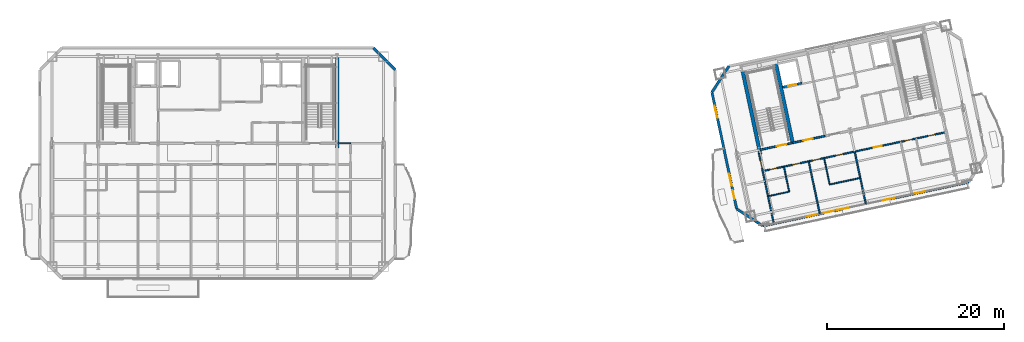
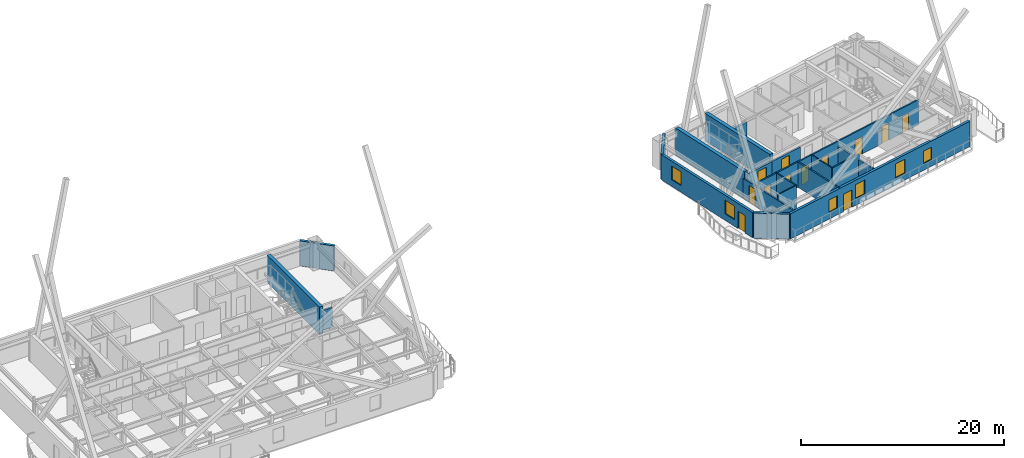
# One storey, part 12 of 19: 20 walls, 13 doors, 6 windows, 19 openings.
"""IFC4 building model written with IfcOpenShell, lengths in metres."""

from ifc_helpers import new_model, si_unit, direction, frame, frame_2d, origin, place, context, subcontext, project, spatial, rectangle, extrude, material, layer, layer_set, type_object, element, fill, save


model = new_model("IFC4")

# Units and contexts
model_context = context("Model", 3, precision=1e-05, world=origin(), true_north=direction((0.0, 1.0)))
body_context = subcontext(model_context, "Body", "Model", "MODEL_VIEW")
ifc_project = project(units=[si_unit("LENGTHUNIT", "METRE"), si_unit("AREAUNIT", "SQUARE_METRE"), si_unit("VOLUMEUNIT", "CUBIC_METRE"), si_unit("PLANEANGLEUNIT", "RADIAN"), si_unit("MASSUNIT", "GRAM", prefix="KILO")], contexts=[model_context])

# Site, building, storey
site_placement = place(None, origin())
site = spatial("IfcSite", under=ifc_project, at=site_placement, CompositionType="ELEMENT")
building_placement = place(site_placement, origin())
building = spatial("IfcBuilding", under=site, at=building_placement, Name="Haevon Station Towers", CompositionType="ELEMENT")
storey_placement = place(building_placement, frame((0.0, 0.0, 218.699951171875)))
storey = spatial("IfcBuildingStorey", under=building, at=storey_placement, Name="L60", CompositionType="ELEMENT", Elevation=218.699951171875)

# Wall, opening, door
ifc_material_1 = material(Name="Gypsum board on steel stud", Category="steel")
ifc_layer_1 = layer(ifc_material_1, 0.199951171875)
ifc_layer_set_1 = layer_set([ifc_layer_1], Name="Gypsum board on steel stud")
wall_type_1 = type_object("IfcWallType", Name="WL-COR200", PredefinedType="PARTITIONING", material=ifc_layer_set_1)
wall_1_placement = place(storey_placement, frame((98.75244140625, 37.4423828125, 0.0), z_axis=(0.0, 0.0, 1.0), x_axis=(0.978143537786, 0.207930804564, 0.0)))
wall_1 = element("IfcWall", 1, at=wall_1_placement, inside=storey, type_object=wall_type_1, Name="WL-ST-ST3-L60", PredefinedType="PARTITIONING", context=body_context, shape_type="SweptSolid", body=[
    extrude(rectangle(XDim=3.85009765625, YDim=0.199951171875, at=frame_2d((1.925048828125, 0.0))), origin(), (0.0, 0.0, 1.0), 2.429931640625),
])
opening_1_placement = place(wall_1_placement, frame((2.0, 0.0, 0.0)))
opening_1 = element("IfcOpeningElement", 2, at=opening_1_placement, cuts=wall_1, Name="Opening DR-ST-ST3-L60", PredefinedType="OPENING", context=body_context, shape_type="SweptSolid", body=[
    extrude(rectangle(XDim=1.1201171875, YDim=2.10009765625, at=frame_2d((0.56005859375, 1.050048828125))), frame((0.0, 0.10986328125, 0.0), z_axis=(0.0, -1.0, 0.0), x_axis=(1.0, 0.0, 0.0)), (0.0, 0.0, 1.0), 0.219970703125),
])
ifc_material_2 = material(Name="Engineered oak timber", Category="wood")
door_type_1 = type_object("IfcDoorType", Name="DR-ST-1120", OperationType="NOTDEFINED", PredefinedType="DOOR", material=ifc_material_2)
door_1_placement = place(opening_1_placement, origin())
door_1 = element("IfcDoor", 3, at=door_1_placement, inside=storey, type_object=door_type_1, Name="L60 Escape Stair ST3 Fire Door", OperationType="SINGLE_SWING_LEFT", OverallHeight=2.10009765625, OverallWidth=1.1201171875, PredefinedType="DOOR", context=body_context, shape_type="SweptSolid", body=[
    extrude(rectangle(XDim=1.1201171875, YDim=2.10009765625, at=frame_2d((0.56005859375, 1.050048828125))), frame((0.0, 0.02490234375, 0.0), z_axis=(0.0, -1.0, 0.0), x_axis=(1.0, 0.0, 0.0)), (0.0, 0.0, 1.0), 0.050048828125),
])
fill(opening_1, door_1)

wall_2_placement = place(storey_placement, frame((102.518310546875, 38.242919921875, 0.0), z_axis=(0.0, 0.0, 1.0), x_axis=(0.978153555683, 0.20788367301, 0.0)))
wall_2 = element("IfcWall", 4, at=wall_2_placement, inside=storey, type_object=wall_type_1, Name="WL-T2FFL-L60-S", PredefinedType="PARTITIONING", context=body_context, shape_type="SweptSolid", body=[
    extrude(rectangle(XDim=3.75, YDim=0.199951171875, at=frame_2d((1.875, 0.0))), origin(), (0.0, 0.0, 1.0), 2.429931640625),
])
opening_2_placement = place(wall_2_placement, frame((1.25, 0.0, 0.0)))
opening_2 = element("IfcOpeningElement", 5, at=opening_2_placement, cuts=wall_2, Name="Opening DR-T2FFL-L60-S", PredefinedType="OPENING", context=body_context, shape_type="SweptSolid", body=[
    extrude(rectangle(XDim=1.050048828125, YDim=2.10009765625, at=frame_2d((0.52490234375, 1.050048828125))), frame((0.0, 0.10986328125, 0.0), z_axis=(0.0, -1.0, 0.0), x_axis=(1.0, 0.0, 0.0)), (0.0, 0.0, 1.0), 0.219970703125),
])
door_type_2 = type_object("IfcDoorType", Name="DR-FD60-1050", OperationType="NOTDEFINED", PredefinedType="DOOR", material=ifc_material_2)
door_2_placement = place(opening_2_placement, origin())
door_2 = element("IfcDoor", 6, at=door_2_placement, inside=storey, type_object=door_type_2, Name="L60 Tower 2 Firefighting Lift Lobby Door S", OperationType="SINGLE_SWING_RIGHT", OverallHeight=2.10009765625, OverallWidth=1.050048828125, PredefinedType="DOOR", context=body_context, shape_type="SweptSolid", body=[
    extrude(rectangle(XDim=1.050048828125, YDim=2.10009765625, at=frame_2d((0.52490234375, 1.050048828125))), frame((0.0, 0.02490234375, 0.0), z_axis=(0.0, -1.0, 0.0), x_axis=(1.0, 0.0, 0.0)), (0.0, 0.0, 1.0), 0.050048828125),
])
fill(opening_2, door_2)

# Walls
ifc_material_3 = material(Name="Concrete C60/75", Category="concrete")
ifc_layer_2 = layer(ifc_material_3, 0.39990234375)
ifc_layer_set_2 = layer_set([ifc_layer_2], Name="Concrete C60/75")
wall_type_2 = type_object("IfcWallType", Name="WL-CR400", PredefinedType="SHEAR", material=ifc_layer_set_2)
wall_3_placement = place(storey_placement, frame((51.0, 37.679931640625, 0.0), z_axis=(0.0, 0.0, 1.0), x_axis=(0.0, 1.0, 0.0)))
element("IfcWall", 7, at=wall_3_placement, inside=storey, type_object=wall_type_2, Name="WL-T1CR-L60-E", PredefinedType="SHEAR", context=body_context, shape_type="SweptSolid", body=[
    extrude(rectangle(XDim=10.320068359375, YDim=0.39990234375, at=frame_2d((5.16015625, 0.0))), origin(), (0.0, 0.0, 1.0), 3.300048828125),
])
wall_4_placement = place(storey_placement, frame((98.8603515625, 36.933837890625, 0.0), z_axis=(0.0, 0.0, 1.0), x_axis=(-0.20790924889, 0.978148119778, 0.0)))
element("IfcWall", 8, at=wall_4_placement, inside=storey, type_object=wall_type_2, Name="WL-T2CR-L60-W", PredefinedType="SHEAR", context=body_context, shape_type="SweptSolid", body=[
    extrude(rectangle(XDim=10.119873046875, YDim=0.39990234375, at=frame_2d((5.06005859375, 0.0))), origin(), (0.0, 0.0, 1.0), 3.300048828125),
])
wall_5_placement = place(storey_placement, frame((102.518310546875, 38.242919921875, 0.0), z_axis=(0.0, 0.0, 1.0), x_axis=(-0.207927495108, 0.978144241295, 0.0)))
element("IfcWall", 9, at=wall_5_placement, inside=storey, type_object=wall_type_2, Name="WL-T2CR-L60-M1", PredefinedType="SHEAR", context=body_context, shape_type="SweptSolid", body=[
    extrude(rectangle(XDim=9.599853515625, YDim=0.39990234375, at=frame_2d((4.7998046875, 0.0))), origin(), (0.0, 0.0, 1.0), 3.300048828125),
])
ifc_material_4 = material(Name="Precast concrete C45/55", Category="concrete")
ifc_layer_3 = layer(ifc_material_4, 0.280029296875)
ifc_layer_set_3 = layer_set([ifc_layer_3], Name="Precast concrete C45/55")
wall_type_3 = type_object("IfcWallType", Name="WL-EXT-PIER280", PredefinedType="SOLIDWALL", material=ifc_layer_set_3)
wall_6_placement = place(storey_placement, frame((55.10009765625, 49.0, 0.0), z_axis=(0.0, 0.0, 1.0), x_axis=(0.707106781187, -0.707106781187, 0.0)))
element("IfcWall", 10, at=wall_6_placement, inside=storey, type_object=wall_type_3, Name="WL-T1-L60-NEC", PredefinedType="SOLIDWALL", context=body_context, shape_type="SweptSolid", body=[
    extrude(rectangle(XDim=3.53564453125, YDim=0.280029296875, at=frame_2d((1.767822265625, 0.0))), origin(), (0.0, 0.0, 1.0), 3.030029296875),
])

# Wall, openings, door, windows
wall_7_placement = place(storey_placement, frame((122.427978515625, 33.795166015625, 0.0), z_axis=(0.0, 0.0, 1.0), x_axis=(-0.978147847697, -0.207910528946, 0.0)))
wall_7 = element("IfcWall", 11, at=wall_7_placement, inside=storey, type_object=wall_type_3, Name="WL-T2-L60-S", PredefinedType="SOLIDWALL", context=body_context, shape_type="SweptSolid", body=[
    extrude(rectangle(XDim=23.7998046875, YDim=0.280029296875, at=frame_2d((11.89990234375, 0.0))), origin(), (0.0, 0.0, 1.0), 3.030029296875),
])
opening_3_placement = place(wall_7_placement, frame((15.632080078125, 0.0, 0.0)))
opening_3 = element("IfcOpeningElement", 12, at=opening_3_placement, cuts=wall_7, Name="Opening DR-T2-SKYG-L60", PredefinedType="OPENING", context=body_context, shape_type="SweptSolid", body=[
    extrude(rectangle(XDim=1.14990234375, YDim=2.10009765625, at=frame_2d((0.574951171875, 1.050048828125))), frame((0.0, 0.14990234375, 0.0), z_axis=(0.0, -1.0, 0.0), x_axis=(1.0, 0.0, 0.0)), (0.0, 0.0, 1.0), 0.300048828125),
])
opening_4_placement = place(wall_7_placement, frame((17.597412109375, 0.0, 0.800048828125)))
opening_4 = element("IfcOpeningElement", 13, at=opening_4_placement, cuts=wall_7, Name="Opening WN-COR110", PredefinedType="OPENING", context=body_context, shape_type="SweptSolid", body=[
    extrude(rectangle(XDim=1.10009765625, YDim=1.5, at=frame_2d((0.550048828125, 0.75))), frame((0.0, 0.14990234375, 0.0), z_axis=(0.0, -1.0, 0.0), x_axis=(1.0, 0.0, 0.0)), (0.0, 0.0, 1.0), 0.300048828125),
])
opening_5_placement = place(wall_7_placement, frame((13.93359375, 0.0, 0.800048828125)))
opening_5 = element("IfcOpeningElement", 14, at=opening_5_placement, cuts=wall_7, Name="Opening WN-P125", PredefinedType="OPENING", context=body_context, shape_type="SweptSolid", body=[
    extrude(rectangle(XDim=1.25, YDim=1.699951171875, at=frame_2d((0.625, 0.85009765625))), frame((0.0, 0.14990234375, 0.0), z_axis=(0.0, -1.0, 0.0), x_axis=(1.0, 0.0, 0.0)), (0.0, 0.0, 1.0), 0.300048828125),
])
opening_6_placement = place(wall_7_placement, frame((8.6162109375, 0.0, 0.800048828125)))
opening_6 = element("IfcOpeningElement", 15, at=opening_6_placement, cuts=wall_7, Name="Opening WN-P125", PredefinedType="OPENING", context=body_context, shape_type="SweptSolid", body=[
    extrude(rectangle(XDim=1.25, YDim=1.699951171875, at=frame_2d((0.625, 0.85009765625))), frame((0.0, 0.14990234375, 0.0), z_axis=(0.0, -1.0, 0.0), x_axis=(1.0, 0.0, 0.0)), (0.0, 0.0, 1.0), 0.300048828125),
])
opening_7_placement = place(wall_7_placement, frame((5.1025390625, 0.0, 0.800048828125)))
opening_7 = element("IfcOpeningElement", 16, at=opening_7_placement, cuts=wall_7, Name="Opening WN-COR110", PredefinedType="OPENING", context=body_context, shape_type="SweptSolid", body=[
    extrude(rectangle(XDim=1.10009765625, YDim=1.5, at=frame_2d((0.550048828125, 0.75))), frame((0.0, 0.14990234375, 0.0), z_axis=(0.0, -1.0, 0.0), x_axis=(1.0, 0.0, 0.0)), (0.0, 0.0, 1.0), 0.300048828125),
])
ifc_material_5 = material(Name="Thermally broken anodised aluminium and laminated safety glass", Category="aluminium")
door_type_3 = type_object("IfcDoorType", Name="DR-BALC-1150", OperationType="NOTDEFINED", PredefinedType="DOOR", material=ifc_material_5)
door_3_placement = place(opening_3_placement, origin())
door_3 = element("IfcDoor", 17, at=door_3_placement, inside=storey, type_object=door_type_3, Name="Tower 2 L60 Sky Garden Terrace Door", OperationType="SINGLE_SWING_LEFT", OverallHeight=2.10009765625, OverallWidth=1.14990234375, PredefinedType="DOOR", context=body_context, shape_type="SweptSolid", body=[
    extrude(rectangle(XDim=1.14990234375, YDim=2.10009765625, at=frame_2d((0.574951171875, 1.050048828125))), frame((0.0, 0.02490234375, 0.0), z_axis=(0.0, -1.0, 0.0), x_axis=(1.0, 0.0, 0.0)), (0.0, 0.0, 1.0), 0.050048828125),
])
fill(opening_3, door_3)
ifc_material_6 = material(Name="Low-E triple glazing in thermally broken aluminium", Category="aluminium")
window_type_1 = type_object("IfcWindowType", Name="WN-COR110", PartitioningType="SINGLE_PANEL", PredefinedType="WINDOW", material=ifc_material_6)
window_1_placement = place(opening_4_placement, origin())
window_1 = element("IfcWindow", 18, at=window_1_placement, inside=storey, type_object=window_type_1, Name="WN-T2-L60-S01", OverallHeight=1.5, OverallWidth=1.10009765625, PartitioningType="SINGLE_PANEL", PredefinedType="WINDOW", context=body_context, shape_type="SweptSolid", body=[
    extrude(rectangle(XDim=1.10009765625, YDim=1.5, at=frame_2d((0.550048828125, 0.75))), frame((0.0, 0.030029296875, 0.0), z_axis=(0.0, -1.0, 0.0), x_axis=(1.0, 0.0, 0.0)), (0.0, 0.0, 1.0), 0.06005859375),
])
fill(opening_4, window_1)
window_2_placement = place(opening_7_placement, origin())
window_2 = element("IfcWindow", 19, at=window_2_placement, inside=storey, type_object=window_type_1, Name="WN-T2-L60-S04", OverallHeight=1.5, OverallWidth=1.10009765625, PartitioningType="SINGLE_PANEL", PredefinedType="WINDOW", context=body_context, shape_type="SweptSolid", body=[
    extrude(rectangle(XDim=1.10009765625, YDim=1.5, at=frame_2d((0.550048828125, 0.75))), frame((0.0, 0.030029296875, 0.0), z_axis=(0.0, -1.0, 0.0), x_axis=(1.0, 0.0, 0.0)), (0.0, 0.0, 1.0), 0.06005859375),
])
fill(opening_7, window_2)
window_type_2 = type_object("IfcWindowType", Name="WN-P125", PartitioningType="SINGLE_PANEL", PredefinedType="WINDOW", material=ifc_material_6)
window_3_placement = place(opening_5_placement, origin())
window_3 = element("IfcWindow", 20, at=window_3_placement, inside=storey, type_object=window_type_2, Name="WN-T2-L60-S02", OverallHeight=1.699951171875, OverallWidth=1.25, PartitioningType="SINGLE_PANEL", PredefinedType="WINDOW", context=body_context, shape_type="SweptSolid", body=[
    extrude(rectangle(XDim=1.25, YDim=1.699951171875, at=frame_2d((0.625, 0.85009765625))), frame((0.0, 0.030029296875, 0.0), z_axis=(0.0, -1.0, 0.0), x_axis=(1.0, 0.0, 0.0)), (0.0, 0.0, 1.0), 0.06005859375),
])
fill(opening_5, window_3)
window_4_placement = place(opening_6_placement, origin())
window_4 = element("IfcWindow", 21, at=window_4_placement, inside=storey, type_object=window_type_2, Name="WN-T2-L60-S03", OverallHeight=1.699951171875, OverallWidth=1.25, PartitioningType="SINGLE_PANEL", PredefinedType="WINDOW", context=body_context, shape_type="SweptSolid", body=[
    extrude(rectangle(XDim=1.25, YDim=1.699951171875, at=frame_2d((0.625, 0.85009765625))), frame((0.0, 0.030029296875, 0.0), z_axis=(0.0, -1.0, 0.0), x_axis=(1.0, 0.0, 0.0)), (0.0, 0.0, 1.0), 0.06005859375),
])
fill(opening_6, window_4)

# Wall
wall_8_placement = place(storey_placement, frame((99.148193359375, 28.846923828125, 0.0), z_axis=(0.0, 0.0, 1.0), x_axis=(-0.838692791597, 0.544604812064, 0.0)))
element("IfcWall", 22, at=wall_8_placement, inside=storey, type_object=wall_type_3, Name="WL-T2-L60-SWC", PredefinedType="SOLIDWALL", context=body_context, shape_type="SweptSolid", body=[
    extrude(rectangle(XDim=3.53564453125, YDim=0.280029296875, at=frame_2d((1.767822265625, 0.0))), origin(), (0.0, 0.0, 1.0), 3.030029296875),
])

# Wall, openings, door, windows
wall_9_placement = place(storey_placement, frame((96.182861328125, 30.7724609375, 0.0), z_axis=(0.0, 0.0, 1.0), x_axis=(-0.207907239961, 0.978148546782, 0.0)))
wall_9 = element("IfcWall", 23, at=wall_9_placement, inside=storey, type_object=wall_type_3, Name="WL-T2-L60-W", PredefinedType="SOLIDWALL", context=body_context, shape_type="SweptSolid", body=[
    extrude(rectangle(XDim=13.489990234375, YDim=0.280029296875, at=frame_2d((6.7451171875, 0.0))), origin(), (0.0, 0.0, 1.0), 3.030029296875),
])
opening_8_placement = place(wall_9_placement, frame((1.1201171875, 0.0, 0.0)))
opening_8 = element("IfcOpeningElement", 24, at=opening_8_placement, cuts=wall_9, Name="Opening DR-T2-SCAL-L60-W", PredefinedType="OPENING", context=body_context, shape_type="SweptSolid", body=[
    extrude(rectangle(XDim=1.050048828125, YDim=2.10009765625, at=frame_2d((0.52490234375, 1.050048828125))), frame((0.0, 0.14990234375, 0.0), z_axis=(0.0, -1.0, 0.0), x_axis=(1.0, 0.0, 0.0)), (0.0, 0.0, 1.0), 0.300048828125),
])
opening_9_placement = place(wall_9_placement, frame((2.673095703125, 0.0, 0.800048828125)))
opening_9 = element("IfcOpeningElement", 25, at=opening_9_placement, cuts=wall_9, Name="Opening WN-END140", PredefinedType="OPENING", context=body_context, shape_type="SweptSolid", body=[
    extrude(rectangle(XDim=1.39990234375, YDim=1.64990234375, at=frame_2d((0.699951171875, 0.824951171875))), frame((0.0, 0.14990234375, 0.0), z_axis=(0.0, -1.0, 0.0), x_axis=(1.0, 0.0, 0.0)), (0.0, 0.0, 1.0), 0.300048828125),
])
opening_10_placement = place(wall_9_placement, frame((10.540771484375, 0.0, 0.800048828125)))
opening_10 = element("IfcOpeningElement", 26, at=opening_10_placement, cuts=wall_9, Name="Opening WN-END140", PredefinedType="OPENING", context=body_context, shape_type="SweptSolid", body=[
    extrude(rectangle(XDim=1.39990234375, YDim=1.64990234375, at=frame_2d((0.699951171875, 0.824951171875))), frame((0.0, 0.14990234375, 0.0), z_axis=(0.0, -1.0, 0.0), x_axis=(1.0, 0.0, 0.0)), (0.0, 0.0, 1.0), 0.300048828125),
])
door_type_4 = type_object("IfcDoorType", Name="DR-BALC-1050", OperationType="NOTDEFINED", PredefinedType="DOOR", material=ifc_material_5)
door_4_placement = place(opening_8_placement, origin())
door_4 = element("IfcDoor", 27, at=door_4_placement, inside=storey, type_object=door_type_4, Name="Tower 2 L60 West Scalloped Balcony Door", OperationType="SINGLE_SWING_RIGHT", OverallHeight=2.10009765625, OverallWidth=1.050048828125, PredefinedType="DOOR", context=body_context, shape_type="SweptSolid", body=[
    extrude(rectangle(XDim=1.050048828125, YDim=2.10009765625, at=frame_2d((0.52490234375, 1.050048828125))), frame((0.0, 0.02490234375, 0.0), z_axis=(0.0, -1.0, 0.0), x_axis=(1.0, 0.0, 0.0)), (0.0, 0.0, 1.0), 0.050048828125),
])
fill(opening_8, door_4)
window_type_3 = type_object("IfcWindowType", Name="WN-END140", PartitioningType="SINGLE_PANEL", PredefinedType="WINDOW", material=ifc_material_6)
window_5_placement = place(opening_9_placement, origin())
window_5 = element("IfcWindow", 28, at=window_5_placement, inside=storey, type_object=window_type_3, Name="WN-T2-L60-W01", OverallHeight=1.64990234375, OverallWidth=1.39990234375, PartitioningType="SINGLE_PANEL", PredefinedType="WINDOW", context=body_context, shape_type="SweptSolid", body=[
    extrude(rectangle(XDim=1.39990234375, YDim=1.64990234375, at=frame_2d((0.699951171875, 0.824951171875))), frame((0.0, 0.030029296875, 0.0), z_axis=(0.0, -1.0, 0.0), x_axis=(1.0, 0.0, 0.0)), (0.0, 0.0, 1.0), 0.06005859375),
])
fill(opening_9, window_5)
window_6_placement = place(opening_10_placement, origin())
window_6 = element("IfcWindow", 29, at=window_6_placement, inside=storey, type_object=window_type_3, Name="WN-T2-L60-W02", OverallHeight=1.64990234375, OverallWidth=1.39990234375, PartitioningType="SINGLE_PANEL", PredefinedType="WINDOW", context=body_context, shape_type="SweptSolid", body=[
    extrude(rectangle(XDim=1.39990234375, YDim=1.64990234375, at=frame_2d((0.699951171875, 0.824951171875))), frame((0.0, 0.030029296875, 0.0), z_axis=(0.0, -1.0, 0.0), x_axis=(1.0, 0.0, 0.0)), (0.0, 0.0, 1.0), 0.06005859375),
])
fill(opening_10, window_6)

# Walls
wall_10_placement = place(storey_placement, frame((93.378173828125, 43.9677734375, 0.0), z_axis=(0.0, 0.0, 1.0), x_axis=(0.544636352948, 0.838672309694, 0.0)))
element("IfcWall", 30, at=wall_10_placement, inside=storey, type_object=wall_type_3, Name="WL-T2-L60-NWC", PredefinedType="SOLIDWALL", context=body_context, shape_type="SweptSolid", body=[
    extrude(rectangle(XDim=3.535400390625, YDim=0.280029296875, at=frame_2d((1.767578125, 0.0))), origin(), (0.0, 0.0, 1.0), 3.030029296875),
])
ifc_layer_4 = layer(ifc_material_1, 0.125)
ifc_layer_set_4 = layer_set([ifc_layer_4], Name="Gypsum board on steel stud")
wall_type_4 = type_object("IfcWallType", Name="WL-PRT125", PredefinedType="PARTITIONING", material=ifc_layer_set_4)
wall_11_placement = place(storey_placement, frame((99.726318359375, 32.210693359375, 0.0), z_axis=(0.0, 0.0, 1.0), x_axis=(0.978156824814, 0.207868290196, 0.0)))
element("IfcWall", 31, at=wall_11_placement, inside=storey, type_object=wall_type_4, Name="WL-T2PT-L60-03", PredefinedType="PARTITIONING", context=body_context, shape_type="SweptSolid", body=[
    extrude(rectangle(XDim=2.449951171875, YDim=0.125, at=frame_2d((1.22509765625, 0.0))), origin(), (0.0, 0.0, 1.0), 3.030029296875),
])
wall_12_placement = place(storey_placement, frame((106.699951171875, 33.53955078125, 0.0), z_axis=(0.0, 0.0, 1.0), x_axis=(-0.207877902534, 0.978154782045, 0.0)))
element("IfcWall", 32, at=wall_12_placement, inside=storey, type_object=wall_type_4, Name="WL-T2PT-L60-07", PredefinedType="PARTITIONING", context=body_context, shape_type="SweptSolid", body=[
    extrude(rectangle(XDim=3.050048828125, YDim=0.125, at=frame_2d((1.52490234375, 0.0))), origin(), (0.0, 0.0, 1.0), 3.030029296875),
])
ifc_layer_5 = layer(ifc_material_1, 0.139892578125)
ifc_layer_set_5 = layer_set([ifc_layer_5], Name="Gypsum board on steel stud")
wall_type_5 = type_object("IfcWallType", Name="WL-PRT140", PredefinedType="PARTITIONING", material=ifc_layer_set_5)
wall_13_placement = place(storey_placement, frame((102.122802734375, 32.719970703125, 0.0), z_axis=(0.0, 0.0, 1.0), x_axis=(-0.207855735235, 0.978159492787, 0.0)))
element("IfcWall", 33, at=wall_13_placement, inside=storey, type_object=wall_type_5, Name="WL-T2PT-L60-04", PredefinedType="PARTITIONING", context=body_context, shape_type="SweptSolid", body=[
    extrude(rectangle(XDim=2.89990234375, YDim=0.139892578125, at=frame_2d((1.449951171875, 0.0))), origin(), (0.0, 0.0, 1.0), 3.030029296875),
])
wall_14_placement = place(storey_placement, frame((106.699951171875, 33.53955078125, 0.0), z_axis=(0.0, 0.0, 1.0), x_axis=(0.978155518159, 0.207874438771, 0.0)))
element("IfcWall", 34, at=wall_14_placement, inside=storey, type_object=wall_type_5, Name="WL-T2PT-L60-06", PredefinedType="PARTITIONING", context=body_context, shape_type="SweptSolid", body=[
    extrude(rectangle(XDim=3.53759765625, YDim=0.139892578125, at=frame_2d((1.768798828125, 0.0))), origin(), (0.0, 0.0, 1.0), 3.030029296875),
])
ifc_layer_6 = layer(ifc_material_1, 0.159912109375)
ifc_layer_set_6 = layer_set([ifc_layer_6], Name="Gypsum board on steel stud")
wall_type_6 = type_object("IfcWallType", Name="WL-PRT160", PredefinedType="PARTITIONING", material=ifc_layer_set_6)
wall_15_placement = place(storey_placement, frame((51.0, 38.199951171875, 0.0), z_axis=(0.0, 0.0, 1.0), x_axis=(1.0, 0.0, 0.0)))
element("IfcWall", 35, at=wall_15_placement, inside=storey, type_object=wall_type_6, Name="WL-T1PT-L60-02", PredefinedType="PARTITIONING", context=body_context, shape_type="SweptSolid", body=[
    extrude(rectangle(XDim=1.52490234375, YDim=0.159912109375, at=frame_2d((0.762451171875, 0.0))), origin(), (0.0, 0.0, 1.0), 2.429931640625),
])

# Wall, opening, door
wall_16_placement = place(storey_placement, frame((100.385498046875, 29.10986328125, 0.0), z_axis=(0.0, 0.0, 1.0), x_axis=(-0.207922572799, 0.978145287634, 0.0)))
wall_16 = element("IfcWall", 36, at=wall_16_placement, inside=storey, type_object=wall_type_6, Name="WL-T2PT-L60-01", PredefinedType="PARTITIONING", context=body_context, shape_type="SweptSolid", body=[
    extrude(rectangle(XDim=8.18994140625, YDim=0.159912109375, at=frame_2d((4.094970703125, 0.0))), origin(), (0.0, 0.0, 1.0), 2.429931640625),
])
opening_11_placement = place(wall_16_placement, frame((6.389892578125, 0.0, 0.0)))
opening_11 = element("IfcOpeningElement", 37, at=opening_11_placement, cuts=wall_16, Name="Opening DR-WL-T2PT-L60-01-01", PredefinedType="OPENING", context=body_context, shape_type="SweptSolid", body=[
    extrude(rectangle(XDim=0.89990234375, YDim=2.050048828125, at=frame_2d((0.449951171875, 1.02490234375))), frame((0.0, 0.08984375, 0.0), z_axis=(0.0, -1.0, 0.0), x_axis=(1.0, 0.0, 0.0)), (0.0, 0.0, 1.0), 0.179931640625),
])
door_type_5 = type_object("IfcDoorType", Name="DR-INT-900", OperationType="NOTDEFINED", PredefinedType="DOOR", material=ifc_material_2)
door_5_placement = place(opening_11_placement, origin())
door_5 = element("IfcDoor", 38, at=door_5_placement, inside=storey, type_object=door_type_5, Name="L60 Tower 2 Room Door 1-1", OperationType="SINGLE_SWING_RIGHT", OverallHeight=2.050048828125, OverallWidth=0.89990234375, PredefinedType="DOOR", context=body_context, shape_type="SweptSolid", body=[
    extrude(rectangle(XDim=0.89990234375, YDim=2.050048828125, at=frame_2d((0.449951171875, 1.02490234375))), frame((0.0, 0.02490234375, 0.0), z_axis=(0.0, -1.0, 0.0), x_axis=(1.0, 0.0, 0.0)), (0.0, 0.0, 1.0), 0.050048828125),
])
fill(opening_11, door_5)

# Walls
wall_17_placement = place(storey_placement, frame((105.586669921875, 30.21533203125, 0.0), z_axis=(0.0, 0.0, 1.0), x_axis=(-0.207897237954, 0.978150672673, 0.0)))
element("IfcWall", 39, at=wall_17_placement, inside=storey, type_object=wall_type_6, Name="WL-T2PT-L60-05", PredefinedType="PARTITIONING", context=body_context, shape_type="SweptSolid", body=[
    extrude(rectangle(XDim=6.070068359375, YDim=0.159912109375, at=frame_2d((3.03515625, 0.0))), origin(), (0.0, 0.0, 1.0), 3.030029296875),
])
wall_18_placement = place(storey_placement, frame((110.7880859375, 31.321044921875, 0.0), z_axis=(0.0, 0.0, 1.0), x_axis=(-0.207905417202, 0.978148934211, 0.0)))
element("IfcWall", 40, at=wall_18_placement, inside=storey, type_object=wall_type_6, Name="WL-T2PT-L60-08", PredefinedType="PARTITIONING", context=body_context, shape_type="SweptSolid", body=[
    extrude(rectangle(XDim=6.06982421875, YDim=0.159912109375, at=frame_2d((3.034912109375, 0.0))), origin(), (0.0, 0.0, 1.0), 2.429931640625),
])

# Wall, openings, doors
wall_19_placement = place(storey_placement, frame((99.12353515625, 35.047119140625, 0.0), z_axis=(0.0, 0.0, 1.0), x_axis=(0.97814677222, 0.207915588631, 0.0)))
wall_19 = element("IfcWall", 41, at=wall_19_placement, inside=storey, type_object=wall_type_6, Name="WL-T2PT-L60-12", PredefinedType="PARTITIONING", context=body_context, shape_type="SweptSolid", body=[
    extrude(rectangle(XDim=21.27001953125, YDim=0.159912109375, at=frame_2d((10.635009765625, 0.0))), origin(), (0.0, 0.0, 1.0), 3.030029296875),
])
opening_12_placement = place(wall_19_placement, frame((0.800048828125, 0.0, 0.0)))
opening_12 = element("IfcOpeningElement", 42, at=opening_12_placement, cuts=wall_19, Name="Opening DR-WL-T2PT-L60-12-01", PredefinedType="OPENING", context=body_context, shape_type="SweptSolid", body=[
    extrude(rectangle(XDim=0.85009765625, YDim=2.050048828125, at=frame_2d((0.425048828125, 1.02490234375))), frame((0.0, 0.08984375, 0.0), z_axis=(0.0, -1.0, 0.0), x_axis=(1.0, 0.0, 0.0)), (0.0, 0.0, 1.0), 0.179931640625),
])
opening_13_placement = place(wall_19_placement, frame((3.43408203125, 0.0, 0.0)))
opening_13 = element("IfcOpeningElement", 43, at=opening_13_placement, cuts=wall_19, Name="Opening DR-WL-T2PT-L60-12-02", PredefinedType="OPENING", context=body_context, shape_type="SweptSolid", body=[
    extrude(rectangle(XDim=0.89990234375, YDim=2.050048828125, at=frame_2d((0.449951171875, 1.02490234375))), frame((0.0, 0.08984375, 0.0), z_axis=(0.0, -1.0, 0.0), x_axis=(1.0, 0.0, 0.0)), (0.0, 0.0, 1.0), 0.179931640625),
])
opening_14_placement = place(wall_19_placement, frame((8.44091796875, 0.0, 0.0)))
opening_14 = element("IfcOpeningElement", 44, at=opening_14_placement, cuts=wall_19, Name="Opening DR-WL-T2PT-L60-12-03", PredefinedType="OPENING", context=body_context, shape_type="SweptSolid", body=[
    extrude(rectangle(XDim=0.85009765625, YDim=2.050048828125, at=frame_2d((0.425048828125, 1.02490234375))), frame((0.0, 0.08984375, 0.0), z_axis=(0.0, -1.0, 0.0), x_axis=(1.0, 0.0, 0.0)), (0.0, 0.0, 1.0), 0.179931640625),
])
opening_15_placement = place(wall_19_placement, frame((5.757080078125, 0.0, 0.0)))
opening_15 = element("IfcOpeningElement", 45, at=opening_15_placement, cuts=wall_19, Name="Opening DR-WL-T2PT-L60-12-04", PredefinedType="OPENING", context=body_context, shape_type="SweptSolid", body=[
    extrude(rectangle(XDim=0.89990234375, YDim=2.050048828125, at=frame_2d((0.449951171875, 1.02490234375))), frame((0.0, 0.08984375, 0.0), z_axis=(0.0, -1.0, 0.0), x_axis=(1.0, 0.0, 0.0)), (0.0, 0.0, 1.0), 0.179931640625),
])
opening_16_placement = place(wall_19_placement, frame((12.819091796875, 0.0, 0.0)))
opening_16 = element("IfcOpeningElement", 46, at=opening_16_placement, cuts=wall_19, Name="Opening DR-WL-T2PT-L60-12-05", PredefinedType="OPENING", context=body_context, shape_type="SweptSolid", body=[
    extrude(rectangle(XDim=0.949951171875, YDim=2.10009765625, at=frame_2d((0.47509765625, 1.050048828125))), frame((0.0, 0.08984375, 0.0), z_axis=(0.0, -1.0, 0.0), x_axis=(1.0, 0.0, 0.0)), (0.0, 0.0, 1.0), 0.179931640625),
])
opening_17_placement = place(wall_19_placement, frame((19.075927734375, 0.0, 0.0)))
opening_17 = element("IfcOpeningElement", 47, at=opening_17_placement, cuts=wall_19, Name="Opening DR-WL-T2PT-L60-12-06", PredefinedType="OPENING", context=body_context, shape_type="SweptSolid", body=[
    extrude(rectangle(XDim=0.85009765625, YDim=2.050048828125, at=frame_2d((0.425048828125, 1.02490234375))), frame((0.0, 0.08984375, 0.0), z_axis=(0.0, -1.0, 0.0), x_axis=(1.0, 0.0, 0.0)), (0.0, 0.0, 1.0), 0.179931640625),
])
opening_18_placement = place(wall_19_placement, frame((16.39208984375, 0.0, 0.0)))
opening_18 = element("IfcOpeningElement", 48, at=opening_18_placement, cuts=wall_19, Name="Opening DR-WL-T2PT-L60-12-07", PredefinedType="OPENING", context=body_context, shape_type="SweptSolid", body=[
    extrude(rectangle(XDim=0.89990234375, YDim=2.050048828125, at=frame_2d((0.449951171875, 1.02490234375))), frame((0.0, 0.08984375, 0.0), z_axis=(0.0, -1.0, 0.0), x_axis=(1.0, 0.0, 0.0)), (0.0, 0.0, 1.0), 0.179931640625),
])
door_type_6 = type_object("IfcDoorType", Name="DR-FD30-850", OperationType="NOTDEFINED", PredefinedType="DOOR", material=ifc_material_2)
door_6_placement = place(opening_12_placement, origin())
door_6 = element("IfcDoor", 49, at=door_6_placement, inside=storey, type_object=door_type_6, Name="L60 Tower 2 Room Door 12-1", OperationType="SINGLE_SWING_RIGHT", OverallHeight=2.050048828125, OverallWidth=0.85009765625, PredefinedType="DOOR", context=body_context, shape_type="SweptSolid", body=[
    extrude(rectangle(XDim=0.85009765625, YDim=2.050048828125, at=frame_2d((0.425048828125, 1.02490234375))), frame((0.0, 0.02490234375, 0.0), z_axis=(0.0, -1.0, 0.0), x_axis=(1.0, 0.0, 0.0)), (0.0, 0.0, 1.0), 0.050048828125),
])
fill(opening_12, door_6)
door_7_placement = place(opening_14_placement, origin())
door_7 = element("IfcDoor", 50, at=door_7_placement, inside=storey, type_object=door_type_6, Name="L60 Tower 2 Room Door 12-3", OperationType="SINGLE_SWING_RIGHT", OverallHeight=2.050048828125, OverallWidth=0.85009765625, PredefinedType="DOOR", context=body_context, shape_type="SweptSolid", body=[
    extrude(rectangle(XDim=0.85009765625, YDim=2.050048828125, at=frame_2d((0.425048828125, 1.02490234375))), frame((0.0, 0.02490234375, 0.0), z_axis=(0.0, -1.0, 0.0), x_axis=(1.0, 0.0, 0.0)), (0.0, 0.0, 1.0), 0.050048828125),
])
fill(opening_14, door_7)
door_8_placement = place(opening_17_placement, origin())
door_8 = element("IfcDoor", 51, at=door_8_placement, inside=storey, type_object=door_type_6, Name="L60 Tower 2 Room Door 12-6", OperationType="SINGLE_SWING_LEFT", OverallHeight=2.050048828125, OverallWidth=0.85009765625, PredefinedType="DOOR", context=body_context, shape_type="SweptSolid", body=[
    extrude(rectangle(XDim=0.85009765625, YDim=2.050048828125, at=frame_2d((0.425048828125, 1.02490234375))), frame((0.0, 0.02490234375, 0.0), z_axis=(0.0, -1.0, 0.0), x_axis=(1.0, 0.0, 0.0)), (0.0, 0.0, 1.0), 0.050048828125),
])
fill(opening_17, door_8)
door_type_7 = type_object("IfcDoorType", Name="DR-FD30-950", OperationType="NOTDEFINED", PredefinedType="DOOR", material=ifc_material_2)
door_9_placement = place(opening_16_placement, origin())
door_9 = element("IfcDoor", 52, at=door_9_placement, inside=storey, type_object=door_type_7, Name="L60 Tower 2 Room Door 12-5", OperationType="SINGLE_SWING_RIGHT", OverallHeight=2.10009765625, OverallWidth=0.949951171875, PredefinedType="DOOR", context=body_context, shape_type="SweptSolid", body=[
    extrude(rectangle(XDim=0.949951171875, YDim=2.10009765625, at=frame_2d((0.47509765625, 1.050048828125))), frame((0.0, 0.02490234375, 0.0), z_axis=(0.0, -1.0, 0.0), x_axis=(1.0, 0.0, 0.0)), (0.0, 0.0, 1.0), 0.050048828125),
])
fill(opening_16, door_9)
door_10_placement = place(opening_13_placement, origin())
door_10 = element("IfcDoor", 53, at=door_10_placement, inside=storey, type_object=door_type_5, Name="L60 Tower 2 Room Door 12-2", OperationType="SINGLE_SWING_LEFT", OverallHeight=2.050048828125, OverallWidth=0.89990234375, PredefinedType="DOOR", context=body_context, shape_type="SweptSolid", body=[
    extrude(rectangle(XDim=0.89990234375, YDim=2.050048828125, at=frame_2d((0.449951171875, 1.02490234375))), frame((0.0, 0.02490234375, 0.0), z_axis=(0.0, -1.0, 0.0), x_axis=(1.0, 0.0, 0.0)), (0.0, 0.0, 1.0), 0.050048828125),
])
fill(opening_13, door_10)
door_11_placement = place(opening_15_placement, origin())
door_11 = element("IfcDoor", 54, at=door_11_placement, inside=storey, type_object=door_type_5, Name="L60 Tower 2 Room Door 12-4", OperationType="SINGLE_SWING_LEFT", OverallHeight=2.050048828125, OverallWidth=0.89990234375, PredefinedType="DOOR", context=body_context, shape_type="SweptSolid", body=[
    extrude(rectangle(XDim=0.89990234375, YDim=2.050048828125, at=frame_2d((0.449951171875, 1.02490234375))), frame((0.0, 0.02490234375, 0.0), z_axis=(0.0, -1.0, 0.0), x_axis=(1.0, 0.0, 0.0)), (0.0, 0.0, 1.0), 0.050048828125),
])
fill(opening_15, door_11)
door_12_placement = place(opening_18_placement, origin())
door_12 = element("IfcDoor", 55, at=door_12_placement, inside=storey, type_object=door_type_5, Name="L60 Tower 2 Room Door 12-7", OperationType="SINGLE_SWING_RIGHT", OverallHeight=2.050048828125, OverallWidth=0.89990234375, PredefinedType="DOOR", context=body_context, shape_type="SweptSolid", body=[
    extrude(rectangle(XDim=0.89990234375, YDim=2.050048828125, at=frame_2d((0.449951171875, 1.02490234375))), frame((0.0, 0.02490234375, 0.0), z_axis=(0.0, -1.0, 0.0), x_axis=(1.0, 0.0, 0.0)), (0.0, 0.0, 1.0), 0.050048828125),
])
fill(opening_18, door_12)

# Wall, opening, door
ifc_material_7 = material(Name="Concrete C40/50", Category="concrete")
ifc_layer_7 = layer(ifc_material_7, 0.239990234375)
ifc_layer_set_7 = layer_set([ifc_layer_7], Name="Concrete C40/50")
wall_type_7 = type_object("IfcWallType", Name="WL-SHF240", PredefinedType="PARTITIONING", material=ifc_layer_set_7)
wall_20_placement = place(storey_placement, frame((101.353759765625, 44.538330078125, 0.0), z_axis=(0.0, 0.0, 1.0), x_axis=(0.978141002414, 0.207942731049, 0.0)))
wall_20 = element("IfcWall", 56, at=wall_20_placement, inside=storey, type_object=wall_type_7, Name="WL-SHF-FL2-L60", PredefinedType="PARTITIONING", context=body_context, shape_type="SweptSolid", body=[
    extrude(rectangle(XDim=2.260009765625, YDim=0.239990234375, at=frame_2d((1.1298828125, 0.0))), origin(), (0.0, 0.0, 1.0), 2.72998046875),
])
opening_19_placement = place(wall_20_placement, frame((0.655029296875, 0.0, 0.0)))
opening_19 = element("IfcOpeningElement", 57, at=opening_19_placement, cuts=wall_20, Name="Opening LD-FL2-L60", PredefinedType="OPENING", context=body_context, shape_type="SweptSolid", body=[
    extrude(rectangle(XDim=0.949951171875, YDim=2.14990234375, at=frame_2d((0.47509765625, 1.074951171875))), frame((0.0, 0.1298828125, 0.0), z_axis=(0.0, -1.0, 0.0), x_axis=(1.0, 0.0, 0.0)), (0.0, 0.0, 1.0), 0.260009765625),
])
ifc_material_8 = material(Name="Stainless steel and rated core", Category="steel")
door_type_8 = type_object("IfcDoorType", Name="LD-FL950", OperationType="SLIDING_TO_LEFT", PredefinedType="DOOR", material=ifc_material_8)
door_13_placement = place(opening_19_placement, origin())
door_13 = element("IfcDoor", 58, at=door_13_placement, inside=storey, type_object=door_type_8, Name="L60 Lift FL2 Sliding Landing Door", OperationType="SLIDING_TO_LEFT", OverallHeight=2.14990234375, OverallWidth=0.949951171875, PredefinedType="DOOR", context=body_context, shape_type="SweptSolid", body=[
    extrude(rectangle(XDim=0.949951171875, YDim=2.14990234375, at=frame_2d((0.47509765625, 1.074951171875))), frame((0.0, 0.02490234375, 0.0), z_axis=(0.0, -1.0, 0.0), x_axis=(1.0, 0.0, 0.0)), (0.0, 0.0, 1.0), 0.050048828125),
])
fill(opening_19, door_13)

save(model, "model.ifc")
